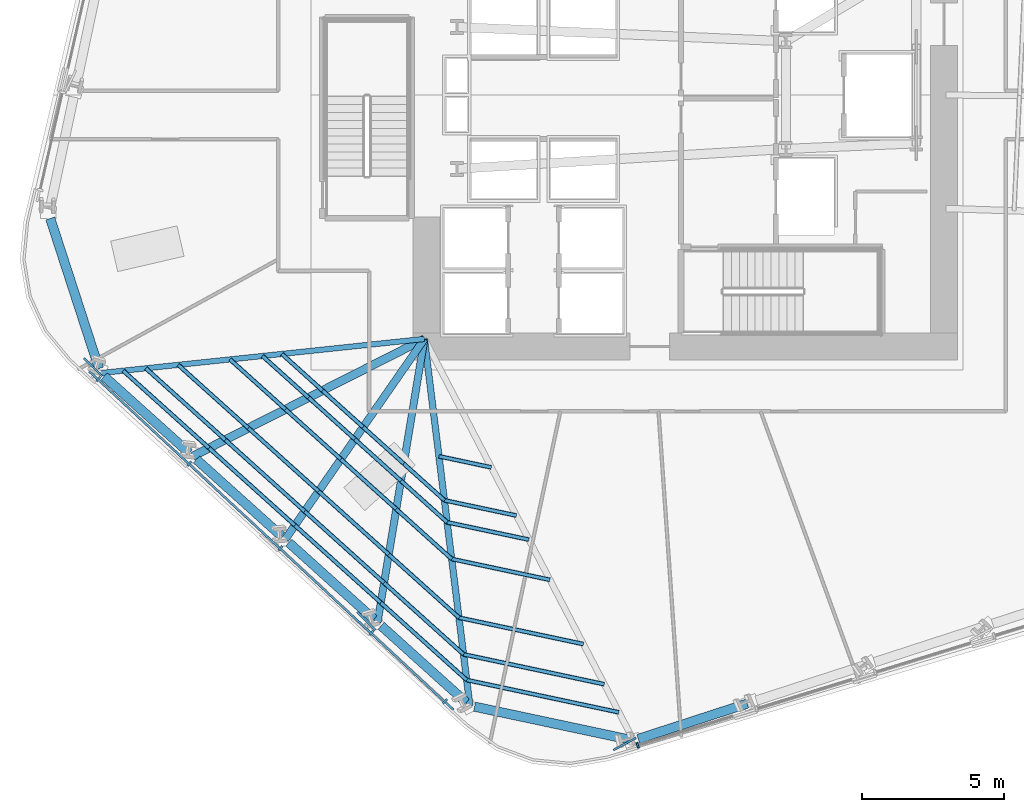
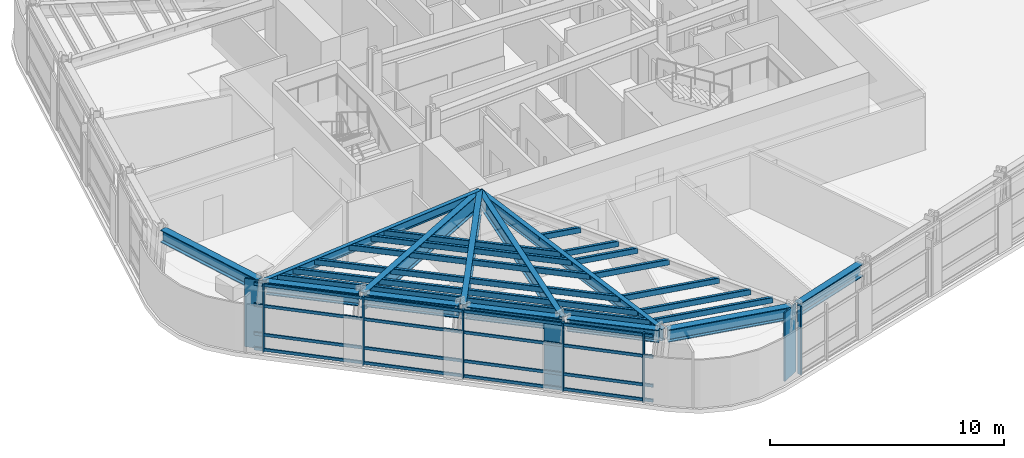
# One storey, part 2 of 16: 44 members, 12 beams, 2 elements without a shape of their own.
"""IFC4 building model written with IfcOpenShell, lengths in metres."""

from ifc_helpers import new_model, si_unit, direction, frame, origin, origin_2d, place, context, subcontext, project, spatial, rectangle, hollow_rectangle, i_section, extrude, material, layer, layer_set, material_profile, profile_set, type_object, element, aggregate, save


model = new_model("IFC4")

# Units and contexts
model_context = context("Model", 3, precision=1e-05, world=origin(), true_north=direction((0.0, 1.0)))
body_context = subcontext(model_context, "Body", "Model", "MODEL_VIEW")
ifc_project = project(units=[si_unit("LENGTHUNIT", "METRE"), si_unit("AREAUNIT", "SQUARE_METRE"), si_unit("VOLUMEUNIT", "CUBIC_METRE"), si_unit("PLANEANGLEUNIT", "RADIAN"), si_unit("MASSUNIT", "GRAM", prefix="KILO")], contexts=[model_context])

# Site, building, storey
site_placement = place(None, origin())
site = spatial("IfcSite", under=ifc_project, at=site_placement, CompositionType="ELEMENT")
building_placement = place(site_placement, origin())
building = spatial("IfcBuilding", under=site, at=building_placement, Name="Valkerne Bourse Tower", CompositionType="ELEMENT")
storey_placement = place(building_placement, frame((0.0, 0.0, 97.199951171875)))
storey = spatial("IfcBuildingStorey", under=building, at=storey_placement, Name="L24", CompositionType="ELEMENT", Elevation=97.199951171875)

# Beams
ifc_material_1 = material(Name="Steel ASTM A992", Category="steel")
ifc_material_profile_1 = material_profile(ifc_material_1, i_section(OverallWidth=0.1904296875, OverallDepth=0.457275390625, WebThickness=0.009033203125, FlangeThickness=0.014404296875, FilletRadius=0.01513671875, at=origin_2d()), Name="W18X50")
ifc_profile_set_1 = profile_set([ifc_material_profile_1], Name="Steel ASTM A992")
beam_type_1 = type_object("IfcBeamType", Name="BM-W18X50", PredefinedType="JOIST", material=ifc_profile_set_1)
beam_1_placement = place(storey_placement, frame((26.17529296875, 17.1943359375, 3.3515625), z_axis=(0.994478637838, 0.104939215182, 0.0), x_axis=(-0.104939215182, 0.994478637838, 0.0)))
element("IfcBeam", 1, at=beam_1_placement, inside=storey, type_object=beam_type_1, Name="L24 Radial Composite Floor Beam 15", PredefinedType="JOIST", context=body_context, shape_type="SweptSolid", body=[
    extrude(i_section(OverallWidth=0.1904296875, OverallDepth=0.457275390625, WebThickness=0.009033203125, FlangeThickness=0.014404296875, FilletRadius=0.01513671875, at=origin_2d()), origin(), (0.0, 0.0, 1.0), 11.48828125),
])
ifc_material_profile_2 = material_profile(ifc_material_1, i_section(OverallWidth=0.330078125, OverallDepth=0.647705078125, WebThickness=0.0205078125, FlangeThickness=0.037109375, FilletRadius=0.020263671875, at=origin_2d()), Name="W24X192")
ifc_profile_set_2 = profile_set([ifc_material_profile_2], Name="Steel ASTM A992")
beam_type_2 = type_object("IfcBeamType", Name="BM-W24X192", PredefinedType="SPANDREL", material=ifc_profile_set_2)
beam_2_placement = place(storey_placement, frame((24.403076171875, 22.648193359375, 3.25634765625), z_axis=(0.309058293549, -0.951043096389, 0.0), x_axis=(0.951043096389, 0.309058293549, 0.0)))
element("IfcBeam", 2, at=beam_2_placement, inside=storey, type_object=beam_type_2, Name="L24 Hexagonal Spandrel Ring Beam 14", PredefinedType="SPANDREL", context=body_context, shape_type="SweptSolid", body=[
    extrude(i_section(OverallWidth=0.330078125, OverallDepth=0.647705078125, WebThickness=0.0205078125, FlangeThickness=0.037109375, FilletRadius=0.020263671875, at=origin_2d()), origin(), (0.0, 0.0, 1.0), 5.564453125),
])
for number, where, z_axis, x_axis, name in (
    (3, (26.301513671875, 17.08056640625, 3.25634765625), (0.743183037228, -0.669088165474, 0.0), (0.669088165474, 0.743183037228, 0.0), "L24 Hexagonal Spandrel Ring Beam 15"),
    (4, (29.55859375, 14.147705078125, 3.25634765625), (0.743183037228, -0.669088165474, 0.0), (0.669088165474, 0.743183037228, 0.0), "L24 Hexagonal Spandrel Ring Beam 16"),
):
    element("IfcBeam", number, at=place(storey_placement, frame(where, z_axis=z_axis, x_axis=x_axis)), inside=storey, type_object=beam_type_2, Name=name, PredefinedType="SPANDREL", context=body_context, shape_type="SweptSolid", body=[
        extrude(i_section(OverallWidth=0.330078125, OverallDepth=0.647705078125, WebThickness=0.0205078125, FlangeThickness=0.037109375, FilletRadius=0.020263671875, at=origin_2d()), origin(), (0.0, 0.0, 1.0), 4.04296875),
    ])
for number, where, z_axis, x_axis, name in (
    (5, (32.81591796875, 11.215087890625, 3.25634765625), (0.743153009947, -0.669121516472, 0.0), (0.669121516472, 0.743153009947, 0.0), "L24 Hexagonal Spandrel Ring Beam 17"),
    (6, (36.072998046875, 8.2822265625, 3.25634765625), (0.743153009947, -0.669121516472, 0.0), (0.669121516472, 0.743153009947, 0.0), "L24 Hexagonal Spandrel Ring Beam 18"),
):
    element("IfcBeam", number, at=place(storey_placement, frame(where, z_axis=z_axis, x_axis=x_axis)), inside=storey, type_object=beam_type_2, Name=name, PredefinedType="SPANDREL", context=body_context, shape_type="SweptSolid", body=[
        extrude(i_section(OverallWidth=0.330078125, OverallDepth=0.647705078125, WebThickness=0.0205078125, FlangeThickness=0.037109375, FilletRadius=0.020263671875, at=origin_2d()), origin(), (0.0, 0.0, 1.0), 4.043212890625),
    ])
beam_3_placement = place(storey_placement, frame((39.370361328125, 5.427978515625, 3.25634765625), z_axis=(0.978136320917, -0.207964751106, 0.0), x_axis=(0.207964751106, 0.978136320917, 0.0)))
element("IfcBeam", 7, at=beam_3_placement, inside=storey, type_object=beam_type_2, Name="L24 Hexagonal Spandrel Ring Beam 19", PredefinedType="SPANDREL", context=body_context, shape_type="SweptSolid", body=[
    extrude(i_section(OverallWidth=0.330078125, OverallDepth=0.647705078125, WebThickness=0.0205078125, FlangeThickness=0.037109375, FilletRadius=0.020263671875, at=origin_2d()), origin(), (0.0, 0.0, 1.0), 5.564453125),
])
beam_4_placement = place(storey_placement, frame((45.14111328125, 4.2880859375, 3.25634765625), z_axis=(0.95104738031, 0.30904511063, 0.0), x_axis=(-0.30904511063, 0.95104738031, 0.0)))
element("IfcBeam", 8, at=beam_4_placement, inside=storey, type_object=beam_type_2, Name="L24 Hexagonal Spandrel Ring Beam 20", PredefinedType="SPANDREL", context=body_context, shape_type="SweptSolid", body=[
    extrude(i_section(OverallWidth=0.330078125, OverallDepth=0.647705078125, WebThickness=0.0205078125, FlangeThickness=0.037109375, FilletRadius=0.020263671875, at=origin_2d()), origin(), (0.0, 0.0, 1.0), 4.043212890625),
])
ifc_material_profile_3 = material_profile(ifc_material_1, i_section(OverallWidth=0.228271484375, OverallDepth=0.607177734375, WebThickness=0.01123046875, FlangeThickness=0.017333984375, FilletRadius=0.017822265625, at=origin_2d()), Name="W24X76")
ifc_profile_set_3 = profile_set([ifc_material_profile_3], Name="Steel ASTM A992")
beam_type_3 = type_object("IfcBeamType", Name="BM-W24X76", PredefinedType="JOIST", material=ifc_profile_set_3)
beam_5_placement = place(storey_placement, frame((39.2041015625, 5.463134765625, 3.2763671875), z_axis=(-0.123045811681, 0.99240099165, 0.0), x_axis=(-0.99240099165, -0.123045811681, 0.0)))
element("IfcBeam", 9, at=beam_5_placement, inside=storey, type_object=beam_type_3, Name="L24 Radial Composite Floor Beam 19", PredefinedType="JOIST", context=body_context, shape_type="SweptSolid", body=[
    extrude(i_section(OverallWidth=0.228271484375, OverallDepth=0.607177734375, WebThickness=0.01123046875, FlangeThickness=0.017333984375, FilletRadius=0.017822265625, at=origin_2d()), origin(), (0.0, 0.0, 1.0), 13.035888671875),
])
ifc_material_profile_4 = material_profile(ifc_material_1, i_section(OverallWidth=0.255859375, OverallDepth=0.693359375, WebThickness=0.014404296875, FlangeThickness=0.023681640625, FilletRadius=0.02294921875, at=origin_2d()), Name="W27X114")
ifc_profile_set_4 = profile_set([ifc_material_profile_4], Name="Steel ASTM A992")
beam_type_4 = type_object("IfcBeamType", Name="BM-W27X114", PredefinedType="BEAM", material=ifc_profile_set_4)
beam_6_placement = place(storey_placement, frame((35.94677734375, 8.39599609375, 3.2333984375), z_axis=(0.163055677383, 0.986616868938, 0.0), x_axis=(-0.986616868938, 0.163055677383, 0.0)))
element("IfcBeam", 10, at=beam_6_placement, inside=storey, type_object=beam_type_4, Name="L24 Radial Composite Floor Beam 18", PredefinedType="BEAM", context=body_context, shape_type="SweptSolid", body=[
    extrude(i_section(OverallWidth=0.255859375, OverallDepth=0.693359375, WebThickness=0.014404296875, FlangeThickness=0.023681640625, FilletRadius=0.02294921875, at=origin_2d()), origin(), (0.0, 0.0, 1.0), 10.1396484375),
])
ifc_material_profile_5 = material_profile(ifc_material_1, i_section(OverallWidth=0.26806640625, OverallDepth=0.76953125, WebThickness=0.015625, FlangeThickness=0.025390625, FilletRadius=0.025390625, at=origin_2d()), Name="W30X132")
ifc_profile_set_5 = profile_set([ifc_material_profile_5], Name="Steel ASTM A992")
beam_type_5 = type_object("IfcBeamType", Name="BM-W30X132", PredefinedType="BEAM", material=ifc_profile_set_5)
beam_7_placement = place(storey_placement, frame((32.689697265625, 11.328857421875, 3.1953125), z_axis=(0.570392089259, 0.821372549158, 0.0), x_axis=(-0.821372549158, 0.570392089259, 0.0)))
element("IfcBeam", 11, at=beam_7_placement, inside=storey, type_object=beam_type_5, Name="L24 Radial Composite Floor Beam 17", PredefinedType="BEAM", context=body_context, shape_type="SweptSolid", body=[
    extrude(i_section(OverallWidth=0.26806640625, OverallDepth=0.76953125, WebThickness=0.015625, FlangeThickness=0.025390625, FilletRadius=0.025390625, at=origin_2d()), origin(), (0.0, 0.0, 1.0), 8.60888671875),
])
ifc_material_profile_6 = material_profile(ifc_material_1, i_section(OverallWidth=0.2919921875, OverallDepth=0.8583984375, WebThickness=0.01708984375, FlangeThickness=0.031005859375, FilletRadius=0.025390625, at=origin_2d()), Name="W33X169")
ifc_profile_set_6 = profile_set([ifc_material_profile_6], Name="Steel ASTM A992")
beam_type_6 = type_object("IfcBeamType", Name="BM-W33X169", PredefinedType="BEAM", material=ifc_profile_set_6)
beam_8_placement = place(storey_placement, frame((29.432373046875, 14.26171875, 3.15087890625), z_axis=(0.892041509324, 0.451953477299, 0.0), x_axis=(-0.451953477299, 0.892041509324, 0.0)))
element("IfcBeam", 12, at=beam_8_placement, inside=storey, type_object=beam_type_6, Name="L24 Radial Composite Floor Beam 16", PredefinedType="BEAM", context=body_context, shape_type="SweptSolid", body=[
    extrude(i_section(OverallWidth=0.2919921875, OverallDepth=0.8583984375, WebThickness=0.01708984375, FlangeThickness=0.031005859375, FilletRadius=0.025390625, at=origin_2d()), origin(), (0.0, 0.0, 1.0), 9.15625),
])

# Curtain wall, members
ifc_material_2 = material(Name="Aluminium AA 6063-T6", Category="aluminium")
ifc_layer = layer(ifc_material_2, 0.22998046875)
ifc_layer_set = layer_set([ifc_layer], Name="Aluminium AA 6063-T6")
curtain_wall_type = type_object("IfcCurtainWallType", Name="CW-02", PredefinedType="NOTDEFINED", material=ifc_layer_set)
curtain_wall_1_placement = place(storey_placement, origin())
curtain_wall_1 = element("IfcCurtainWall", 13, at=curtain_wall_1_placement, inside=storey, type_object=curtain_wall_type, Name="L24 Hexagonal Stick Curtain Wall Face 4", PredefinedType="NOTDEFINED")
ifc_material_profile_7 = material_profile(ifc_material_2, rectangle(XDim=0.074951171875, YDim=0.199951171875, at=origin_2d()), Name="CWM-75X200")
ifc_profile_set_7 = profile_set([ifc_material_profile_7], Name="Aluminium AA 6063-T6")
member_type_1 = type_object("IfcMemberType", Name="CW-MUL-220X75", PredefinedType="MULLION", material=ifc_profile_set_7)
member_1_placement = place(storey_placement, frame((26.099853515625, 16.984619140625, 0.0), z_axis=(0.0, 0.0, 1.0), x_axis=(0.732539093848, -0.680724963538, 0.0)))
member_1 = element("IfcMember", 14, at=member_1_placement, type_object=member_type_1, Name="CW-L24-F4 Jamb Mullion 00A", PredefinedType="MULLION", context=body_context, shape_type="SweptSolid", body=[
    extrude(rectangle(XDim=0.074951171875, YDim=0.199951171875, at=origin_2d()), origin(), (0.0, 0.0, 1.0), 3.580078125),
])
member_2_placement = place(storey_placement, frame((29.310546875, 14.0009765625, 0.0), z_axis=(0.0, 0.0, 1.0), x_axis=(0.732539093848, -0.680724963538, 0.0)))
member_2 = element("IfcMember", 15, at=member_2_placement, type_object=member_type_1, Name="CW-L24-F4 Jamb Mullion 01A", PredefinedType="MULLION", context=body_context, shape_type="SweptSolid", body=[
    extrude(rectangle(XDim=0.074951171875, YDim=0.199951171875, at=origin_2d()), origin(), (0.0, 0.0, 1.0), 3.580078125),
])
member_3_placement = place(storey_placement, frame((32.521240234375, 11.017333984375, 0.0), z_axis=(0.0, 0.0, 1.0), x_axis=(0.732549666007, -0.680713586491, 0.0)))
member_3 = element("IfcMember", 16, at=member_3_placement, type_object=member_type_1, Name="CW-L24-F4 Jamb Mullion 02A", PredefinedType="MULLION", context=body_context, shape_type="SweptSolid", body=[
    extrude(rectangle(XDim=0.074951171875, YDim=0.199951171875, at=origin_2d()), origin(), (0.0, 0.0, 1.0), 3.580078125),
])
member_4_placement = place(storey_placement, frame((35.732177734375, 8.03369140625, 0.0), z_axis=(0.0, 0.0, 1.0), x_axis=(0.732539093848, -0.680724963538, 0.0)))
member_4 = element("IfcMember", 17, at=member_4_placement, type_object=member_type_1, Name="CW-L24-F4 Jamb Mullion 03A", PredefinedType="MULLION", context=body_context, shape_type="SweptSolid", body=[
    extrude(rectangle(XDim=0.074951171875, YDim=0.199951171875, at=origin_2d()), origin(), (0.0, 0.0, 1.0), 3.580078125),
])
member_5_placement = place(storey_placement, frame((38.327392578125, 5.621826171875, 0.0), z_axis=(0.0, 0.0, 1.0), x_axis=(0.732539093848, -0.680724963538, 0.0)))
member_5 = element("IfcMember", 18, at=member_5_placement, type_object=member_type_1, Name="CW-L24-F4 Jamb Mullion 03B", PredefinedType="MULLION", context=body_context, shape_type="SweptSolid", body=[
    extrude(rectangle(XDim=0.074951171875, YDim=0.199951171875, at=origin_2d()), origin(), (0.0, 0.0, 1.0), 3.580078125),
])

# Curtain wall, member
curtain_wall_2_placement = place(storey_placement, origin())
curtain_wall_2 = element("IfcCurtainWall", 19, at=curtain_wall_2_placement, inside=storey, type_object=curtain_wall_type, Name="L24 Hexagonal Stick Curtain Wall Face 5", PredefinedType="NOTDEFINED")
member_6_placement = place(storey_placement, frame((45.12353515625, 4.0654296875, 0.0), z_axis=(0.0, 0.0, 1.0), x_axis=(0.955790847392, 0.294047370405, 0.0)))
member_6 = element("IfcMember", 20, at=member_6_placement, type_object=member_type_1, Name="CW-L24-F5 Jamb Mullion 00A", PredefinedType="MULLION", context=body_context, shape_type="SweptSolid", body=[
    extrude(rectangle(XDim=0.074951171875, YDim=0.199951171875, at=origin_2d()), origin(), (0.0, 0.0, 1.0), 3.580078125),
])
aggregate(curtain_wall_2, [member_6])

# Member
ifc_material_profile_8 = material_profile(ifc_material_2, rectangle(XDim=0.074951171875, YDim=0.14990234375, at=origin_2d()), Name="CWT-75X150")
ifc_profile_set_8 = profile_set([ifc_material_profile_8], Name="Aluminium AA 6063-T6")
member_type_2 = type_object("IfcMemberType", Name="CW-TRN-180X65", PredefinedType="USERDEFINED", material=ifc_profile_set_8)
member_7_placement = place(storey_placement, frame((25.778564453125, 17.255859375, 0.1201171875), z_axis=(0.732540000478, -0.680723987898, 0.0), x_axis=(0.680723987898, 0.732540000478, 0.0)))
member_7 = element("IfcMember", 21, at=member_7_placement, type_object=member_type_2, Name="CW-L24-F4 Continuous Face Transom 1", ObjectType="TRANSOM", PredefinedType="USERDEFINED", context=body_context, shape_type="SweptSolid", body=[
    extrude(rectangle(XDim=0.074951171875, YDim=0.14990234375, at=origin_2d()), origin(), (0.0, 0.0, 1.0), 17.5322265625),
])

member_8_placement = place(storey_placement, frame((25.778564453125, 17.255859375, 0.900146484375), z_axis=(0.732540000478, -0.680723987898, 0.0), x_axis=(0.680723987898, 0.732540000478, 0.0)))
member_8 = element("IfcMember", 22, at=member_8_placement, type_object=member_type_2, Name="CW-L24-F4 Continuous Face Transom 2", ObjectType="TRANSOM", PredefinedType="USERDEFINED", context=body_context, shape_type="SweptSolid", body=[
    extrude(rectangle(XDim=0.074951171875, YDim=0.14990234375, at=origin_2d()), origin(), (0.0, 0.0, 1.0), 17.5322265625),
])

member_9_placement = place(storey_placement, frame((25.778564453125, 17.255859375, 2.400146484375), z_axis=(0.732540000478, -0.680723987898, 0.0), x_axis=(0.680723987898, 0.732540000478, 0.0)))
member_9 = element("IfcMember", 23, at=member_9_placement, type_object=member_type_2, Name="CW-L24-F4 Continuous Face Transom 3", ObjectType="TRANSOM", PredefinedType="USERDEFINED", context=body_context, shape_type="SweptSolid", body=[
    extrude(rectangle(XDim=0.074951171875, YDim=0.14990234375, at=origin_2d()), origin(), (0.0, 0.0, 1.0), 17.5322265625),
])

member_10_placement = place(storey_placement, frame((25.778564453125, 17.255859375, 3.5), z_axis=(0.732540000478, -0.680723987898, 0.0), x_axis=(0.680723987898, 0.732540000478, 0.0)))
member_10 = element("IfcMember", 24, at=member_10_placement, type_object=member_type_2, Name="CW-L24-F4 Continuous Face Transom 4", ObjectType="TRANSOM", PredefinedType="USERDEFINED", context=body_context, shape_type="SweptSolid", body=[
    extrude(rectangle(XDim=0.074951171875, YDim=0.14990234375, at=origin_2d()), origin(), (0.0, 0.0, 1.0), 17.5322265625),
])

aggregate(curtain_wall_1, [member_7, member_8, member_9, member_10, member_1, member_2, member_3, member_4, member_5])

# Members
ifc_material_3 = material(Name="Bronze Anodised Aluminium AA 6063-T6", Category="aluminium")
ifc_material_profile_9 = material_profile(ifc_material_3, rectangle(XDim=0.070068359375, YDim=0.89990234375, at=origin_2d()), Name="FIN-70X900")
ifc_profile_set_9 = profile_set([ifc_material_profile_9], Name="Bronze Anodised Aluminium AA 6063-T6")
member_type_3 = type_object("IfcMemberType", Name="FIN-SOLAR-900", PredefinedType="USERDEFINED", material=ifc_profile_set_9)
for number, where, z_axis, x_axis, name in (
    (25, (25.914794921875, 17.40234375, 0.004150390625), (0.0, 0.0, 1.0), (-0.70193322823, -0.712242755742, 0.0), "L24 Bronze Anodised Solar Fin F4-00"),
    (26, (35.547119140625, 8.451416015625, 0.004150390625), (0.0, 0.0, 1.0), (-0.70193322823, -0.712242755742, 0.0), "L24 Bronze Anodised Solar Fin F4-03"),
    (27, (44.669189453125, 4.114013671875, 0.004150390625), (0.0, 0.0, 1.0), (0.474027807162, -0.880509873901, 0.0), "L24 Bronze Anodised Solar Fin F5-00"),
):
    element("IfcMember", number, at=place(storey_placement, frame(where, z_axis=z_axis, x_axis=x_axis)), inside=storey, type_object=member_type_3, Name=name, ObjectType="SOLAR_FIN", PredefinedType="USERDEFINED", context=body_context, shape_type="SweptSolid", body=[
        extrude(rectangle(XDim=0.070068359375, YDim=0.89990234375, at=origin_2d()), origin(), (0.0, 0.0, 1.0), 3.57177734375),
    ])
ifc_material_4 = material(Name="Steel ASTM A500 Grade C", Category="steel")
ifc_material_profile_10 = material_profile(ifc_material_4, hollow_rectangle(XDim=0.14990234375, YDim=0.300048828125, WallThickness=0.012451171875, OuterFilletRadius=0.02490234375, at=origin_2d()), Name="HSS300X150X12.5")
ifc_profile_set_10 = profile_set([ifc_material_profile_10], Name="Steel ASTM A500 Grade C")
member_type_4 = type_object("IfcMemberType", Name="MBR-HSS300X150X12.5", PredefinedType="PURLIN", material=ifc_profile_set_10)
member_11_placement = place(storey_placement, frame((38.11328125, 14.26025390625, 3.420166015625), z_axis=(0.978148997962, -0.207905117268, 0.0), x_axis=(0.207905117268, 0.978148997962, 0.0)))
element("IfcMember", 28, at=member_11_placement, inside=storey, type_object=member_type_4, Name="L24 Secondary Composite Floor Purlin I-19", PredefinedType="PURLIN", context=body_context, shape_type="SweptSolid", body=[
    extrude(hollow_rectangle(XDim=0.14990234375, YDim=0.300048828125, WallThickness=0.012451171875, OuterFilletRadius=0.02490234375, at=origin_2d()), origin(), (0.0, 0.0, 1.0), 1.889404296875),
])
for number, where, z_axis, x_axis, name in (
    (29, (32.572998046875, 17.869384765625, 3.420166015625), (0.743224901033, -0.669041662742, 0.0), (0.669041662742, 0.743224901033, 0.0), "L24 Secondary Composite Floor Purlin K-15"),
    (30, (34.00634765625, 16.5791015625, 3.420166015625), (0.743168228087, -0.669104614214, 0.0), (0.669104614214, 0.743168228087, 0.0), "L24 Secondary Composite Floor Purlin K-16"),
    (31, (35.439453125, 15.288818359375, 3.420166015625), (0.743105275136, -0.669174528853, 0.0), (0.669174528853, 0.743105275136, 0.0), "L24 Secondary Composite Floor Purlin K-17"),
):
    element("IfcMember", number, at=place(storey_placement, frame(where, z_axis=z_axis, x_axis=x_axis)), inside=storey, type_object=member_type_4, Name=name, PredefinedType="PURLIN", context=body_context, shape_type="SweptSolid", body=[
        extrude(hollow_rectangle(XDim=0.14990234375, YDim=0.300048828125, WallThickness=0.012451171875, OuterFilletRadius=0.02490234375, at=origin_2d()), origin(), (0.0, 0.0, 1.0), 1.928466796875),
    ])
member_12_placement = place(storey_placement, frame((36.87255859375, 13.998291015625, 3.420166015625), z_axis=(0.743161955126, -0.669111581467, 0.0), x_axis=(0.669111581467, 0.743161955126, 0.0)))
element("IfcMember", 32, at=member_12_placement, inside=storey, type_object=member_type_4, Name="L24 Secondary Composite Floor Purlin K-18", PredefinedType="PURLIN", context=body_context, shape_type="SweptSolid", body=[
    extrude(hollow_rectangle(XDim=0.14990234375, YDim=0.300048828125, WallThickness=0.012451171875, OuterFilletRadius=0.02490234375, at=origin_2d()), origin(), (0.0, 0.0, 1.0), 1.9287109375),
])
member_13_placement = place(storey_placement, frame((38.305908203125, 12.707763671875, 3.420166015625), z_axis=(0.978134003902, -0.207975648601, 0.0), x_axis=(0.207975648601, 0.978134003902, 0.0)))
element("IfcMember", 33, at=member_13_placement, inside=storey, type_object=member_type_4, Name="L24 Secondary Composite Floor Purlin K-19", PredefinedType="PURLIN", context=body_context, shape_type="SweptSolid", body=[
    extrude(hollow_rectangle(XDim=0.14990234375, YDim=0.300048828125, WallThickness=0.012451171875, OuterFilletRadius=0.02490234375, at=origin_2d()), origin(), (0.0, 0.0, 1.0), 2.597900390625),
])
for number, where, z_axis, x_axis, name in (
    (34, (31.8876953125, 17.797119140625, 3.420166015625), (0.743127926401, -0.669149374208, 0.0), (0.669149374208, 0.743127926401, 0.0), "L24 Secondary Composite Floor Purlin M-15"),
    (35, (33.51611328125, 16.330810546875, 3.420166015625), (0.743177806806, -0.669093975067, 0.0), (0.669093975067, 0.743177806806, 0.0), "L24 Secondary Composite Floor Purlin M-16"),
):
    element("IfcMember", number, at=place(storey_placement, frame(where, z_axis=z_axis, x_axis=x_axis)), inside=storey, type_object=member_type_4, Name=name, PredefinedType="PURLIN", context=body_context, shape_type="SweptSolid", body=[
        extrude(hollow_rectangle(XDim=0.14990234375, YDim=0.300048828125, WallThickness=0.012451171875, OuterFilletRadius=0.02490234375, at=origin_2d()), origin(), (0.0, 0.0, 1.0), 2.19140625),
    ])
member_14_placement = place(storey_placement, frame((35.144775390625, 14.864501953125, 3.420166015625), z_axis=(0.743122411975, -0.669155498236, 0.0), x_axis=(0.669155498236, 0.743122411975, 0.0)))
element("IfcMember", 36, at=member_14_placement, inside=storey, type_object=member_type_4, Name="L24 Secondary Composite Floor Purlin M-17", PredefinedType="PURLIN", context=body_context, shape_type="SweptSolid", body=[
    extrude(hollow_rectangle(XDim=0.14990234375, YDim=0.300048828125, WallThickness=0.012451171875, OuterFilletRadius=0.02490234375, at=origin_2d()), origin(), (0.0, 0.0, 1.0), 2.191650390625),
])
member_15_placement = place(storey_placement, frame((36.7734375, 13.39794921875, 3.420166015625), z_axis=(0.743177806806, -0.669093975067, 0.0), x_axis=(0.669093975067, 0.743177806806, 0.0)))
element("IfcMember", 37, at=member_15_placement, inside=storey, type_object=member_type_4, Name="L24 Secondary Composite Floor Purlin M-18", PredefinedType="PURLIN", context=body_context, shape_type="SweptSolid", body=[
    extrude(hollow_rectangle(XDim=0.14990234375, YDim=0.300048828125, WallThickness=0.012451171875, OuterFilletRadius=0.02490234375, at=origin_2d()), origin(), (0.0, 0.0, 1.0), 2.19140625),
])
member_16_placement = place(storey_placement, frame((38.402099609375, 11.931640625, 3.420166015625), z_axis=(0.978149602236, -0.207902274266, 0.0), x_axis=(0.207902274266, 0.978149602236, 0.0)))
element("IfcMember", 38, at=member_16_placement, inside=storey, type_object=member_type_4, Name="L24 Secondary Composite Floor Purlin M-19", PredefinedType="PURLIN", context=body_context, shape_type="SweptSolid", body=[
    extrude(hollow_rectangle(XDim=0.14990234375, YDim=0.300048828125, WallThickness=0.012451171875, OuterFilletRadius=0.02490234375, at=origin_2d()), origin(), (0.0, 0.0, 1.0), 2.9521484375),
])
member_17_placement = place(storey_placement, frame((28.917236328125, 17.483642578125, 3.420166015625), z_axis=(0.743151991186, -0.669122647947, 0.0), x_axis=(0.669122647947, 0.743151991186, 0.0)))
element("IfcMember", 39, at=member_17_placement, inside=storey, type_object=member_type_4, Name="L24 Secondary Composite Floor Purlin O-15", PredefinedType="PURLIN", context=body_context, shape_type="SweptSolid", body=[
    extrude(hollow_rectangle(XDim=0.14990234375, YDim=0.300048828125, WallThickness=0.012451171875, OuterFilletRadius=0.02490234375, at=origin_2d()), origin(), (0.0, 0.0, 1.0), 3.330810546875),
])
member_18_placement = place(storey_placement, frame((31.392578125, 15.2548828125, 3.420166015625), z_axis=(0.743148360836, -0.669126679924, 0.0), x_axis=(0.669126679924, 0.743148360836, 0.0)))
element("IfcMember", 40, at=member_18_placement, inside=storey, type_object=member_type_4, Name="L24 Secondary Composite Floor Purlin O-16", PredefinedType="PURLIN", context=body_context, shape_type="SweptSolid", body=[
    extrude(hollow_rectangle(XDim=0.14990234375, YDim=0.300048828125, WallThickness=0.012451171875, OuterFilletRadius=0.02490234375, at=origin_2d()), origin(), (0.0, 0.0, 1.0), 3.331298828125),
])
member_19_placement = place(storey_placement, frame((33.8681640625, 13.02587890625, 3.420166015625), z_axis=(0.743151991186, -0.669122647947, 0.0), x_axis=(0.669122647947, 0.743151991186, 0.0)))
element("IfcMember", 41, at=member_19_placement, inside=storey, type_object=member_type_4, Name="L24 Secondary Composite Floor Purlin O-17", PredefinedType="PURLIN", context=body_context, shape_type="SweptSolid", body=[
    extrude(hollow_rectangle(XDim=0.14990234375, YDim=0.300048828125, WallThickness=0.012451171875, OuterFilletRadius=0.02490234375, at=origin_2d()), origin(), (0.0, 0.0, 1.0), 3.330810546875),
])
member_20_placement = place(storey_placement, frame((36.343505859375, 10.797119140625, 3.420166015625), z_axis=(0.743148360836, -0.669126679924, 0.0), x_axis=(0.669126679924, 0.743148360836, 0.0)))
element("IfcMember", 42, at=member_20_placement, inside=storey, type_object=member_type_4, Name="L24 Secondary Composite Floor Purlin O-18", PredefinedType="PURLIN", context=body_context, shape_type="SweptSolid", body=[
    extrude(hollow_rectangle(XDim=0.14990234375, YDim=0.300048828125, WallThickness=0.012451171875, OuterFilletRadius=0.02490234375, at=origin_2d()), origin(), (0.0, 0.0, 1.0), 3.331298828125),
])
member_21_placement = place(storey_placement, frame((38.819091796875, 8.568115234375, 3.420166015625), z_axis=(0.978142670498, -0.207934884401, 0.0), x_axis=(0.207934884401, 0.978142670498, 0.0)))
element("IfcMember", 43, at=member_21_placement, inside=storey, type_object=member_type_4, Name="L24 Secondary Composite Floor Purlin O-19", PredefinedType="PURLIN", context=body_context, shape_type="SweptSolid", body=[
    extrude(hollow_rectangle(XDim=0.14990234375, YDim=0.300048828125, WallThickness=0.012451171875, OuterFilletRadius=0.02490234375, at=origin_2d()), origin(), (0.0, 0.0, 1.0), 4.487548828125),
])
member_22_placement = place(storey_placement, frame((30.7451171875, 17.676513671875, 3.420166015625), z_axis=(0.743178727196, -0.669092952767, 0.0), x_axis=(0.669092952767, 0.743178727196, 0.0)))
element("IfcMember", 44, at=member_22_placement, inside=storey, type_object=member_type_4, Name="L24 Secondary Composite Floor Purlin Z-15", PredefinedType="PURLIN", context=body_context, shape_type="SweptSolid", body=[
    extrude(hollow_rectangle(XDim=0.14990234375, YDim=0.300048828125, WallThickness=0.012451171875, OuterFilletRadius=0.02490234375, at=origin_2d()), origin(), (0.0, 0.0, 1.0), 2.629638671875),
])
member_23_placement = place(storey_placement, frame((32.699462890625, 15.9169921875, 3.420166015625), z_axis=(0.743132563421, -0.669144224502, 0.0), x_axis=(0.669144224502, 0.743132563421, 0.0)))
element("IfcMember", 45, at=member_23_placement, inside=storey, type_object=member_type_4, Name="L24 Secondary Composite Floor Purlin Z-16", PredefinedType="PURLIN", context=body_context, shape_type="SweptSolid", body=[
    extrude(hollow_rectangle(XDim=0.14990234375, YDim=0.300048828125, WallThickness=0.012451171875, OuterFilletRadius=0.02490234375, at=origin_2d()), origin(), (0.0, 0.0, 1.0), 2.6298828125),
])
member_24_placement = place(storey_placement, frame((34.65380859375, 14.1572265625, 3.420166015625), z_axis=(0.743178727196, -0.669092952767, 0.0), x_axis=(0.669092952767, 0.743178727196, 0.0)))
element("IfcMember", 46, at=member_24_placement, inside=storey, type_object=member_type_4, Name="L24 Secondary Composite Floor Purlin Z-17", PredefinedType="PURLIN", context=body_context, shape_type="SweptSolid", body=[
    extrude(hollow_rectangle(XDim=0.14990234375, YDim=0.300048828125, WallThickness=0.012451171875, OuterFilletRadius=0.02490234375, at=origin_2d()), origin(), (0.0, 0.0, 1.0), 2.629638671875),
])
member_25_placement = place(storey_placement, frame((36.608154296875, 12.397705078125, 3.420166015625), z_axis=(0.743132563421, -0.669144224502, 0.0), x_axis=(0.669144224502, 0.743132563421, 0.0)))
element("IfcMember", 47, at=member_25_placement, inside=storey, type_object=member_type_4, Name="L24 Secondary Composite Floor Purlin Z-18", PredefinedType="PURLIN", context=body_context, shape_type="SweptSolid", body=[
    extrude(hollow_rectangle(XDim=0.14990234375, YDim=0.300048828125, WallThickness=0.012451171875, OuterFilletRadius=0.02490234375, at=origin_2d()), origin(), (0.0, 0.0, 1.0), 2.6298828125),
])
member_26_placement = place(storey_placement, frame((38.5625, 10.637939453125, 3.420166015625), z_axis=(0.978145011689, -0.207923870941, 0.0), x_axis=(0.207923870941, 0.978145011689, 0.0)))
element("IfcMember", 48, at=member_26_placement, inside=storey, type_object=member_type_4, Name="L24 Secondary Composite Floor Purlin Z-19", PredefinedType="PURLIN", context=body_context, shape_type="SweptSolid", body=[
    extrude(hollow_rectangle(XDim=0.14990234375, YDim=0.300048828125, WallThickness=0.012451171875, OuterFilletRadius=0.02490234375, at=origin_2d()), origin(), (0.0, 0.0, 1.0), 3.54248046875),
])
for number, where, z_axis, x_axis, name in (
    (49, (27.774658203125, 17.36328125, 3.420166015625), (0.743152426369, -0.669122164617, 0.0), (0.669122164617, 0.743152426369, 0.0), "L24 Secondary Composite Floor Purlin T-15"),
    (50, (30.575927734375, 14.841064453125, 3.420166015625), (0.743152426369, -0.669122164617, 0.0), (0.669122164617, 0.743152426369, 0.0), "L24 Secondary Composite Floor Purlin T-16"),
):
    element("IfcMember", number, at=place(storey_placement, frame(where, z_axis=z_axis, x_axis=x_axis)), inside=storey, type_object=member_type_4, Name=name, PredefinedType="PURLIN", context=body_context, shape_type="SweptSolid", body=[
        extrude(hollow_rectangle(XDim=0.14990234375, YDim=0.300048828125, WallThickness=0.012451171875, OuterFilletRadius=0.02490234375, at=origin_2d()), origin(), (0.0, 0.0, 1.0), 3.76953125),
    ])
member_27_placement = place(storey_placement, frame((33.377197265625, 12.31884765625, 3.420166015625), z_axis=(0.743123425885, -0.66915437225, 0.0), x_axis=(0.66915437225, 0.743123425885, 0.0)))
element("IfcMember", 51, at=member_27_placement, inside=storey, type_object=member_type_4, Name="L24 Secondary Composite Floor Purlin T-17", PredefinedType="PURLIN", context=body_context, shape_type="SweptSolid", body=[
    extrude(hollow_rectangle(XDim=0.14990234375, YDim=0.300048828125, WallThickness=0.012451171875, OuterFilletRadius=0.02490234375, at=origin_2d()), origin(), (0.0, 0.0, 1.0), 3.769287109375),
])
member_28_placement = place(storey_placement, frame((36.17822265625, 9.796630859375, 3.420166015625), z_axis=(0.743152426369, -0.669122164617, 0.0), x_axis=(0.669122164617, 0.743152426369, 0.0)))
element("IfcMember", 52, at=member_28_placement, inside=storey, type_object=member_type_4, Name="L24 Secondary Composite Floor Purlin T-18", PredefinedType="PURLIN", context=body_context, shape_type="SweptSolid", body=[
    extrude(hollow_rectangle(XDim=0.14990234375, YDim=0.300048828125, WallThickness=0.012451171875, OuterFilletRadius=0.02490234375, at=origin_2d()), origin(), (0.0, 0.0, 1.0), 3.76953125),
])
member_29_placement = place(storey_placement, frame((38.9794921875, 7.2744140625, 3.420166015625), z_axis=(0.978140273412, -0.20794616017, 0.0), x_axis=(0.20794616017, 0.978140273412, 0.0)))
element("IfcMember", 53, at=member_29_placement, inside=storey, type_object=member_type_4, Name="L24 Secondary Composite Floor Purlin T-19", PredefinedType="PURLIN", context=body_context, shape_type="SweptSolid", body=[
    extrude(hollow_rectangle(XDim=0.14990234375, YDim=0.300048828125, WallThickness=0.012451171875, OuterFilletRadius=0.02490234375, at=origin_2d()), origin(), (0.0, 0.0, 1.0), 5.077880859375),
])
for number, where, z_axis, x_axis, name in (
    (54, (26.974853515625, 17.27880859375, 3.420166015625), (0.743151180462, -0.669123548366, 0.0), (0.669123548366, 0.743151180462, 0.0), "L24 Secondary Composite Floor Purlin U-15"),
    (55, (30.004150390625, 14.55126953125, 3.420166015625), (0.743124363041, -0.669153331498, 0.0), (0.669153331498, 0.743124363041, 0.0), "L24 Secondary Composite Floor Purlin U-16"),
    (56, (33.033203125, 11.82373046875, 3.420166015625), (0.743151180462, -0.669123548366, 0.0), (0.669123548366, 0.743151180462, 0.0), "L24 Secondary Composite Floor Purlin U-17"),
    (57, (36.0625, 9.09619140625, 3.420166015625), (0.743180963263, -0.669090469102, 0.0), (0.669090469102, 0.743180963263, 0.0), "L24 Secondary Composite Floor Purlin U-18"),
):
    element("IfcMember", number, at=place(storey_placement, frame(where, z_axis=z_axis, x_axis=x_axis)), inside=storey, type_object=member_type_4, Name=name, PredefinedType="PURLIN", context=body_context, shape_type="SweptSolid", body=[
        extrude(hollow_rectangle(XDim=0.14990234375, YDim=0.300048828125, WallThickness=0.012451171875, OuterFilletRadius=0.02490234375, at=origin_2d()), origin(), (0.0, 0.0, 1.0), 4.076171875),
    ])
member_30_placement = place(storey_placement, frame((39.091796875, 6.368896484375, 3.420166015625), z_axis=(0.978140767719, -0.207943835028, 0.0), x_axis=(0.207943835028, 0.978140767719, 0.0)))
element("IfcMember", 58, at=member_30_placement, inside=storey, type_object=member_type_4, Name="L24 Secondary Composite Floor Purlin U-19", PredefinedType="PURLIN", context=body_context, shape_type="SweptSolid", body=[
    extrude(hollow_rectangle(XDim=0.14990234375, YDim=0.300048828125, WallThickness=0.012451171875, OuterFilletRadius=0.02490234375, at=origin_2d()), origin(), (0.0, 0.0, 1.0), 5.4912109375),
])

save(model, "model.ifc")
